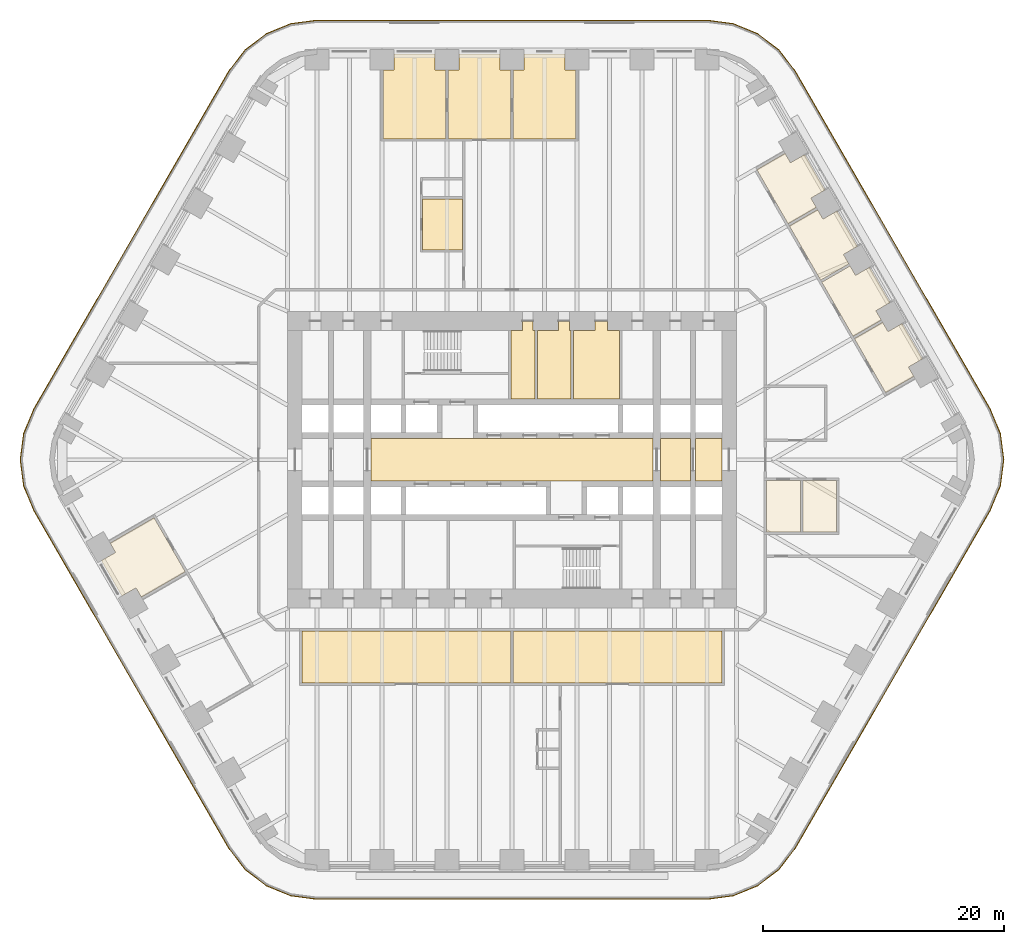
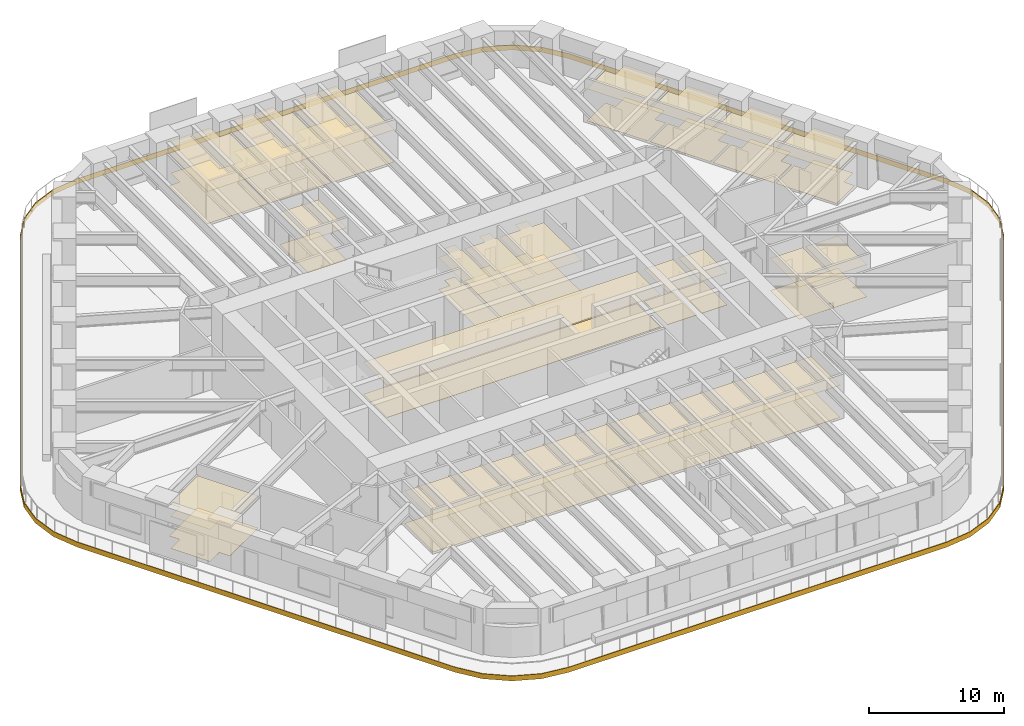
# One storey, part 23 of 24: 15 coverings.
"""IFC4 building model written with IfcOpenShell, lengths in metres."""

from ifc_helpers import new_model, si_unit, direction, frame, origin, place, context, subcontext, project, spatial, polyline, outline, extrude, material, layer, layer_set, type_object, element, save


model = new_model("IFC4")

# Units and contexts
model_context = context("Model", 3, precision=1e-05, world=origin(), true_north=direction((0.0, 1.0)))
body_context = subcontext(model_context, "Body", "Model", "MODEL_VIEW")
ifc_project = project(units=[si_unit("LENGTHUNIT", "METRE"), si_unit("AREAUNIT", "SQUARE_METRE"), si_unit("VOLUMEUNIT", "CUBIC_METRE"), si_unit("PLANEANGLEUNIT", "RADIAN"), si_unit("MASSUNIT", "GRAM", prefix="KILO")], contexts=[model_context])

# Site, building, storey
site_placement = place(None, origin())
site = spatial("IfcSite", under=ifc_project, at=site_placement, CompositionType="ELEMENT")
building_placement = place(site_placement, origin())
building = spatial("IfcBuilding", under=site, at=building_placement, Name="Tarfa Lantern Tower", CompositionType="ELEMENT")
storey_placement = place(building_placement, frame((0.0, 0.0, 69.699951171875)))
storey = spatial("IfcBuildingStorey", under=building, at=storey_placement, Name="L15", CompositionType="ELEMENT", Elevation=69.699951171875)

# Coverings
ifc_material_1 = material(Name="Mineral fibre acoustic tile on suspension grid", Category="finish")
ifc_layer_1 = layer(ifc_material_1, 0.02001953125)
ifc_layer_set_1 = layer_set([ifc_layer_1], Name="CL1 ACOUSTIC TILE CEILING 20")
covering_type_1 = type_object("IfcCoveringType", Name="CL1 ACOUSTIC TILE CEILING 20", PredefinedType="CEILING", material=ifc_layer_set_1)
covering_1_placement = place(storey_placement, frame((0.0, 0.0, 2.900146484375)))
element("IfcCovering", 1, at=covering_1_placement, inside=storey, type_object=covering_type_1, Name="Ceiling L15 CL1", PredefinedType="CEILING", context=body_context, shape_type="SweptSolid", body=[
    extrude(outline(polyline([(0.10009765625, -14.199951171875), (17.39990234375, -14.199951171875), (17.39990234375, -18.5), (0.10009765625, -18.5), (0.10009765625, -14.199951171875)])), origin(), (0.0, 0.0, 1.0), 0.02001953125),
    extrude(outline(polyline([(-17.39990234375, -14.199951171875), (-0.10009765625, -14.199951171875), (-0.10009765625, -18.5), (-17.39990234375, -18.5), (-17.39990234375, -14.199951171875)])), origin(), (0.0, 0.0, 1.0), 0.02001953125),
    extrude(outline(polyline([(5.28857421875, 26.60009765625), (0.10009765625, 26.60009765625), (0.10009765625, 32.300048828125), (1.0, 32.300048828125), (1.0, 33.64990234375), (4.388671875, 33.64990234375), (4.388671875, 32.300048828125), (5.28857421875, 32.300048828125), (5.28857421875, 26.60009765625)])), origin(), (0.0, 0.0, 1.0), 0.02001953125),
    extrude(outline(polyline([(-0.10009765625, 26.60009765625), (-5.28857421875, 26.60009765625), (-5.28857421875, 32.300048828125), (-4.388671875, 32.300048828125), (-4.388671875, 33.64990234375), (-1.0, 33.64990234375), (-1.0, 32.300048828125), (-0.10009765625, 32.300048828125), (-0.10009765625, 26.60009765625)])), origin(), (0.0, 0.0, 1.0), 0.02001953125),
    extrude(outline(polyline([(-5.488525390625, 26.60009765625), (-10.67724609375, 26.60009765625), (-10.67724609375, 32.300048828125), (-9.777099609375, 32.300048828125), (-9.777099609375, 33.64990234375), (-6.388671875, 33.64990234375), (-6.388671875, 32.300048828125), (-5.488525390625, 32.300048828125), (-5.488525390625, 26.60009765625)])), origin(), (0.0, 0.0, 1.0), 0.02001953125),
    extrude(outline(polyline([(28.378662109375, 10.046630859375), (30.717041015625, 11.396728515625), (31.1669921875, 10.6171875), (32.3359375, 11.292236328125), (34.0302734375, 8.357666015625), (32.861328125, 7.6826171875), (33.311279296875, 6.9033203125), (30.972900390625, 5.55322265625), (28.378662109375, 10.046630859375)])), origin(), (0.0, 0.0, 1.0), 0.02001953125),
    extrude(outline(polyline([(25.684326171875, 14.71337890625), (28.022705078125, 16.0634765625), (28.47265625, 15.283935546875), (29.641845703125, 15.958984375), (31.3359375, 13.0244140625), (30.1669921875, 12.349365234375), (30.616943359375, 11.56982421875), (28.278564453125, 10.219970703125), (25.684326171875, 14.71337890625)])), origin(), (0.0, 0.0, 1.0), 0.02001953125),
    extrude(outline(polyline([(22.989990234375, 19.380126953125), (25.328369140625, 20.72998046875), (25.7783203125, 19.95068359375), (26.947509765625, 20.625732421875), (28.641845703125, 17.69091796875), (27.47265625, 17.01611328125), (27.922607421875, 16.236572265625), (25.58447265625, 14.88671875), (22.989990234375, 19.380126953125)])), origin(), (0.0, 0.0, 1.0), 0.02001953125),
    extrude(outline(polyline([(20.295654296875, 24.046630859375), (22.634033203125, 25.396728515625), (23.083984375, 24.6171875), (24.253173828125, 25.292236328125), (25.947509765625, 22.357666015625), (24.7783203125, 21.6826171875), (25.228271484375, 20.9033203125), (22.89013671875, 19.55322265625), (20.295654296875, 24.046630859375)])), origin(), (0.0, 0.0, 1.0), 0.02001953125),
    extrude(outline(polyline([(-27.07958984375, -9.296630859375), (-30.717041015625, -11.396728515625), (-31.1669921875, -10.6171875), (-32.3359375, -11.292236328125), (-34.0302734375, -8.357666015625), (-32.861328125, -7.6826171875), (-33.311279296875, -6.9033203125), (-29.673828125, -4.80322265625), (-27.07958984375, -9.296630859375)])), origin(), (0.0, 0.0, 1.0), 0.02001953125),
    extrude(outline(polyline([(21.10009765625, -1.699951171875), (23.89990234375, -1.699951171875), (23.89990234375, -6.0), (21.10009765625, -6.0), (21.10009765625, -1.699951171875)])), origin(), (0.0, 0.0, 1.0), 0.02001953125),
    extrude(outline(polyline([(24.10009765625, -1.699951171875), (26.89990234375, -1.699951171875), (26.89990234375, -6.0), (24.10009765625, -6.0), (24.10009765625, -1.699951171875)])), origin(), (0.0, 0.0, 1.0), 0.02001953125),
    extrude(outline(polyline([(-7.39990234375, 21.60009765625), (-4.10009765625, 21.60009765625), (-4.10009765625, 17.39990234375), (-7.39990234375, 17.39990234375), (-7.39990234375, 21.60009765625)])), origin(), (0.0, 0.0, 1.0), 0.02001953125),
])
ifc_material_2 = material(Name="Moisture-resistant plasterboard", Category="finish")
ifc_layer_2 = layer(ifc_material_2, 0.014892578125)
ifc_layer_set_2 = layer_set([ifc_layer_2], Name="CL2 MOISTURE-RESISTANT PLASTERBOARD CEILING 15")
covering_type_2 = type_object("IfcCoveringType", Name="CL2 MOISTURE-RESISTANT PLASTERBOARD CEILING 15", PredefinedType="CEILING", material=ifc_layer_set_2)
covering_2_placement = place(storey_placement, frame((0.0, 0.0, 2.900146484375)))
element("IfcCovering", 2, at=covering_2_placement, inside=storey, type_object=covering_type_2, Name="Ceiling L15-09", PredefinedType="CEILING", context=body_context, shape_type="SweptSolid", body=[
    extrude(outline(polyline([(0.85009765625, 10.699951171875), (-0.10009765625, 10.699951171875), (-0.10009765625, 5.050048828125), (1.89990234375, 5.050048828125), (1.89990234375, 10.699951171875), (1.75, 10.699951171875), (1.75, 11.5), (1.75, 11.5), (0.85009765625, 11.5), (0.85009765625, 10.699951171875)])), origin(), (0.0, 0.0, 1.0), 0.014892578125),
])
covering_3_placement = place(storey_placement, frame((0.0, 0.0, 2.900146484375)))
element("IfcCovering", 3, at=covering_3_placement, inside=storey, type_object=covering_type_2, Name="Ceiling L15-10", PredefinedType="CEILING", context=body_context, shape_type="SweptSolid", body=[
    extrude(outline(polyline([(2.10009765625, 5.050048828125), (4.89990234375, 5.050048828125), (4.89990234375, 10.699951171875), (4.75, 10.699951171875), (4.75, 11.5), (3.85009765625, 11.5), (3.85009765625, 10.699951171875), (2.10009765625, 10.699951171875), (2.10009765625, 5.050048828125)])), origin(), (0.0, 0.0, 1.0), 0.014892578125),
])
covering_4_placement = place(storey_placement, frame((0.0, 0.0, 2.900146484375)))
element("IfcCovering", 4, at=covering_4_placement, inside=storey, type_object=covering_type_2, Name="Ceiling L15-11", PredefinedType="CEILING", context=body_context, shape_type="SweptSolid", body=[
    extrude(outline(polyline([(5.10009765625, 5.050048828125), (8.89990234375, 5.050048828125), (8.89990234375, 10.699951171875), (7.89990234375, 10.699951171875), (7.89990234375, 11.5), (6.89990234375, 11.5), (6.89990234375, 10.699951171875), (5.10009765625, 10.699951171875), (5.10009765625, 5.050048828125)])), origin(), (0.0, 0.0, 1.0), 0.014892578125),
])
ifc_material_3 = material(Name="Powder-coated aluminium panel", Category="aluminium")
ifc_layer_3 = layer(ifc_material_3, 0.030029296875)
ifc_layer_set_3 = layer_set([ifc_layer_3], Name="CL3 METAL PANEL CEILING 30")
covering_type_3 = type_object("IfcCoveringType", Name="CL3 METAL PANEL CEILING 30", PredefinedType="CEILING", material=ifc_layer_set_3)
covering_5_placement = place(storey_placement, frame((0.0, 0.0, 2.900146484375)))
element("IfcCovering", 5, at=covering_5_placement, inside=storey, type_object=covering_type_3, Name="Ceiling L15-03", PredefinedType="CEILING", context=body_context, shape_type="SweptSolid", body=[
    extrude(outline(polyline([(-11.699951171875, -1.75), (11.699951171875, -1.75), (11.699951171875, 1.75), (-11.699951171875, 1.75), (-11.699951171875, -1.75)])), origin(), (0.0, 0.0, 1.0), 0.02978515625),
])
covering_6_placement = place(storey_placement, frame((0.0, 0.0, 2.900146484375)))
element("IfcCovering", 6, at=covering_6_placement, inside=storey, type_object=covering_type_3, Name="Ceiling L15-04", PredefinedType="CEILING", context=body_context, shape_type="SweptSolid", body=[
    extrude(outline(polyline([(12.300048828125, -1.75), (14.800048828125, -1.75), (14.800048828125, 1.75), (12.300048828125, 1.75), (12.300048828125, -1.75)])), origin(), (0.0, 0.0, 1.0), 0.02978515625),
])
covering_7_placement = place(storey_placement, frame((0.0, 0.0, 2.900146484375)))
element("IfcCovering", 7, at=covering_7_placement, inside=storey, type_object=covering_type_3, Name="Ceiling L15-05", PredefinedType="CEILING", context=body_context, shape_type="SweptSolid", body=[
    extrude(outline(polyline([(15.199951171875, -1.75), (17.39990234375, -1.75), (17.39990234375, 1.75), (15.199951171875, 1.75), (15.199951171875, -1.75)])), origin(), (0.0, 0.0, 1.0), 0.02978515625),
])
ifc_material_4 = material(Name="Nylon carpet tile", Category="finish")
ifc_layer_4 = layer(ifc_material_4, 0.010009765625)
ifc_layer_set_4 = layer_set([ifc_layer_4], Name="FL1 CARPET TILE 10")
covering_type_4 = type_object("IfcCoveringType", Name="FL1 CARPET TILE 10", PredefinedType="FLOORING", material=ifc_layer_set_4)
covering_8_placement = place(storey_placement, origin())
element("IfcCovering", 8, at=covering_8_placement, inside=storey, type_object=covering_type_4, Name="Floor finish L15 FL1", PredefinedType="FLOORING", context=body_context, shape_type="SweptSolid", body=[
    extrude(outline(polyline([(0.10009765625, -14.199951171875), (17.39990234375, -14.199951171875), (17.39990234375, -18.5), (0.10009765625, -18.5), (0.10009765625, -14.199951171875)])), origin(), (0.0, 0.0, 1.0), 0.010009765625),
    extrude(outline(polyline([(-17.39990234375, -14.199951171875), (-0.10009765625, -14.199951171875), (-0.10009765625, -18.5), (-17.39990234375, -18.5), (-17.39990234375, -14.199951171875)])), origin(), (0.0, 0.0, 1.0), 0.010009765625),
    extrude(outline(polyline([(5.28857421875, 26.60009765625), (0.10009765625, 26.60009765625), (0.10009765625, 32.300048828125), (1.0, 32.300048828125), (1.0, 33.64990234375), (4.388671875, 33.64990234375), (4.388671875, 32.300048828125), (5.28857421875, 32.300048828125), (5.28857421875, 26.60009765625)])), origin(), (0.0, 0.0, 1.0), 0.010009765625),
    extrude(outline(polyline([(-0.10009765625, 26.60009765625), (-5.28857421875, 26.60009765625), (-5.28857421875, 32.300048828125), (-4.388671875, 32.300048828125), (-4.388671875, 33.64990234375), (-1.0, 33.64990234375), (-1.0, 32.300048828125), (-0.10009765625, 32.300048828125), (-0.10009765625, 26.60009765625)])), origin(), (0.0, 0.0, 1.0), 0.010009765625),
    extrude(outline(polyline([(-5.488525390625, 26.60009765625), (-10.67724609375, 26.60009765625), (-10.67724609375, 32.300048828125), (-9.777099609375, 32.300048828125), (-9.777099609375, 33.64990234375), (-6.388671875, 33.64990234375), (-6.388671875, 32.300048828125), (-5.488525390625, 32.300048828125), (-5.488525390625, 26.60009765625)])), origin(), (0.0, 0.0, 1.0), 0.010009765625),
    extrude(outline(polyline([(28.378662109375, 10.046630859375), (30.717041015625, 11.396728515625), (31.1669921875, 10.6171875), (32.3359375, 11.292236328125), (34.0302734375, 8.357666015625), (32.861328125, 7.6826171875), (33.311279296875, 6.9033203125), (30.972900390625, 5.55322265625), (28.378662109375, 10.046630859375)])), origin(), (0.0, 0.0, 1.0), 0.010009765625),
    extrude(outline(polyline([(25.684326171875, 14.71337890625), (28.022705078125, 16.0634765625), (28.47265625, 15.283935546875), (29.641845703125, 15.958984375), (31.3359375, 13.0244140625), (30.1669921875, 12.349365234375), (30.616943359375, 11.56982421875), (28.278564453125, 10.219970703125), (25.684326171875, 14.71337890625)])), origin(), (0.0, 0.0, 1.0), 0.010009765625),
    extrude(outline(polyline([(22.989990234375, 19.380126953125), (25.328369140625, 20.72998046875), (25.7783203125, 19.95068359375), (26.947509765625, 20.625732421875), (28.641845703125, 17.69091796875), (27.47265625, 17.01611328125), (27.922607421875, 16.236572265625), (25.58447265625, 14.88671875), (22.989990234375, 19.380126953125)])), origin(), (0.0, 0.0, 1.0), 0.010009765625),
    extrude(outline(polyline([(20.295654296875, 24.046630859375), (22.634033203125, 25.396728515625), (23.083984375, 24.6171875), (24.253173828125, 25.292236328125), (25.947509765625, 22.357666015625), (24.7783203125, 21.6826171875), (25.228271484375, 20.9033203125), (22.89013671875, 19.55322265625), (20.295654296875, 24.046630859375)])), origin(), (0.0, 0.0, 1.0), 0.010009765625),
    extrude(outline(polyline([(-27.07958984375, -9.296630859375), (-30.717041015625, -11.396728515625), (-31.1669921875, -10.6171875), (-32.3359375, -11.292236328125), (-34.0302734375, -8.357666015625), (-32.861328125, -7.6826171875), (-33.311279296875, -6.9033203125), (-29.673828125, -4.80322265625), (-27.07958984375, -9.296630859375)])), origin(), (0.0, 0.0, 1.0), 0.010009765625),
    extrude(outline(polyline([(21.10009765625, -1.699951171875), (23.89990234375, -1.699951171875), (23.89990234375, -6.0), (21.10009765625, -6.0), (21.10009765625, -1.699951171875)])), origin(), (0.0, 0.0, 1.0), 0.010009765625),
    extrude(outline(polyline([(24.10009765625, -1.699951171875), (26.89990234375, -1.699951171875), (26.89990234375, -6.0), (24.10009765625, -6.0), (24.10009765625, -1.699951171875)])), origin(), (0.0, 0.0, 1.0), 0.010009765625),
    extrude(outline(polyline([(-7.39990234375, 21.60009765625), (-4.10009765625, 21.60009765625), (-4.10009765625, 17.39990234375), (-7.39990234375, 17.39990234375), (-7.39990234375, 21.60009765625)])), origin(), (0.0, 0.0, 1.0), 0.010009765625),
])
ifc_material_5 = material(Name="Honed limestone flooring", Category="masonry")
ifc_layer_5 = layer(ifc_material_5, 0.030029296875)
ifc_layer_set_5 = layer_set([ifc_layer_5], Name="FL2 STONE FLOORING 30")
covering_type_5 = type_object("IfcCoveringType", Name="FL2 STONE FLOORING 30", PredefinedType="FLOORING", material=ifc_layer_set_5)
covering_9_placement = place(storey_placement, origin())
element("IfcCovering", 9, at=covering_9_placement, inside=storey, type_object=covering_type_5, Name="Floor finish L15-03", PredefinedType="FLOORING", context=body_context, shape_type="SweptSolid", body=[
    extrude(outline(polyline([(-11.699951171875, -1.75), (11.699951171875, -1.75), (11.699951171875, 1.75), (-11.699951171875, 1.75), (-11.699951171875, -1.75)])), origin(), (0.0, 0.0, 1.0), 0.030029296875),
])
covering_10_placement = place(storey_placement, origin())
element("IfcCovering", 10, at=covering_10_placement, inside=storey, type_object=covering_type_5, Name="Floor finish L15-04", PredefinedType="FLOORING", context=body_context, shape_type="SweptSolid", body=[
    extrude(outline(polyline([(12.300048828125, -1.75), (14.800048828125, -1.75), (14.800048828125, 1.75), (12.300048828125, 1.75), (12.300048828125, -1.75)])), origin(), (0.0, 0.0, 1.0), 0.030029296875),
])
covering_11_placement = place(storey_placement, origin())
element("IfcCovering", 11, at=covering_11_placement, inside=storey, type_object=covering_type_5, Name="Floor finish L15-05", PredefinedType="FLOORING", context=body_context, shape_type="SweptSolid", body=[
    extrude(outline(polyline([(15.199951171875, -1.75), (17.39990234375, -1.75), (17.39990234375, 1.75), (15.199951171875, 1.75), (15.199951171875, -1.75)])), origin(), (0.0, 0.0, 1.0), 0.030029296875),
])
ifc_material_6 = material(Name="Porcelain floor tile", Category="finish")
ifc_layer_6 = layer(ifc_material_6, 0.011962890625)
ifc_layer_set_6 = layer_set([ifc_layer_6], Name="FL3 CERAMIC TILE 12")
covering_type_6 = type_object("IfcCoveringType", Name="FL3 CERAMIC TILE 12", PredefinedType="FLOORING", material=ifc_layer_set_6)
covering_12_placement = place(storey_placement, origin())
element("IfcCovering", 12, at=covering_12_placement, inside=storey, type_object=covering_type_6, Name="Floor finish L15-09", PredefinedType="FLOORING", context=body_context, shape_type="SweptSolid", body=[
    extrude(outline(polyline([(0.85009765625, 10.699951171875), (-0.10009765625, 10.699951171875), (-0.10009765625, 5.050048828125), (1.89990234375, 5.050048828125), (1.89990234375, 10.699951171875), (1.75, 10.699951171875), (1.75, 11.5), (1.75, 11.5), (0.85009765625, 11.5), (0.85009765625, 10.699951171875)])), origin(), (0.0, 0.0, 1.0), 0.011962890625),
])
covering_13_placement = place(storey_placement, origin())
element("IfcCovering", 13, at=covering_13_placement, inside=storey, type_object=covering_type_6, Name="Floor finish L15-10", PredefinedType="FLOORING", context=body_context, shape_type="SweptSolid", body=[
    extrude(outline(polyline([(2.10009765625, 5.050048828125), (4.89990234375, 5.050048828125), (4.89990234375, 10.699951171875), (4.75, 10.699951171875), (4.75, 11.5), (3.85009765625, 11.5), (3.85009765625, 10.699951171875), (2.10009765625, 10.699951171875), (2.10009765625, 5.050048828125)])), origin(), (0.0, 0.0, 1.0), 0.011962890625),
])
covering_14_placement = place(storey_placement, origin())
element("IfcCovering", 14, at=covering_14_placement, inside=storey, type_object=covering_type_6, Name="Floor finish L15-11", PredefinedType="FLOORING", context=body_context, shape_type="SweptSolid", body=[
    extrude(outline(polyline([(5.10009765625, 5.050048828125), (8.89990234375, 5.050048828125), (8.89990234375, 10.699951171875), (7.89990234375, 10.699951171875), (7.89990234375, 11.5), (6.89990234375, 11.5), (6.89990234375, 10.699951171875), (5.10009765625, 10.699951171875), (5.10009765625, 5.050048828125)])), origin(), (0.0, 0.0, 1.0), 0.011962890625),
])
ifc_material_7 = material(Name="Limestone cladding on brackets", Category="masonry")
ifc_layer_7 = layer(ifc_material_7, 0.050048828125)
ifc_layer_set_7 = layer_set([ifc_layer_7], Name="SB1 STONE BAND CLADDING 50")
covering_type_7 = type_object("IfcCoveringType", Name="SB1 STONE BAND CLADDING 50", PredefinedType="CLADDING", material=ifc_layer_set_7)
covering_15_placement = place(storey_placement, frame((0.0, 0.0, -0.39990234375)))
element("IfcCovering", 15, at=covering_15_placement, inside=storey, type_object=covering_type_7, Name="Stone band", PredefinedType="CLADDING", context=body_context, shape_type="SweptSolid", body=[
    extrude(outline(polyline([(39.6494140625, 4.22509765625), (23.483642578125, 32.22509765625), (22.140869140625, 33.97509765625), (20.390869140625, 35.31787109375), (18.352783203125, 36.162109375), (16.165771484375, 36.449951171875), (-16.165771484375, 36.449951171875), (-18.352783203125, 36.162109375), (-20.390869140625, 35.31787109375), (-22.140869140625, 33.97509765625), (-23.483642578125, 32.22509765625), (-39.6494140625, 4.22509765625), (-40.49365234375, 2.18701171875), (-40.781494140625, 0.0), (-40.49365234375, -2.18701171875), (-39.6494140625, -4.22509765625), (-23.483642578125, -32.22509765625), (-22.140869140625, -33.97509765625), (-20.390869140625, -35.31787109375), (-18.352783203125, -36.162109375), (-16.165771484375, -36.449951171875), (16.165771484375, -36.449951171875), (18.352783203125, -36.162109375), (20.390869140625, -35.31787109375), (22.140869140625, -33.97509765625), (23.483642578125, -32.22509765625), (39.6494140625, -4.22509765625), (40.49365234375, -2.18701171875), (40.781494140625, 0.0), (40.49365234375, 2.18701171875), (39.6494140625, 4.22509765625)]), holes=[polyline([(39.606201171875, 4.199951171875), (23.4404296875, 32.199951171875), (22.10546875, 33.939697265625), (20.36572265625, 35.274658203125), (18.33984375, 36.11376953125), (16.165771484375, 36.39990234375), (-16.165771484375, 36.39990234375), (-18.33984375, 36.11376953125), (-20.36572265625, 35.274658203125), (-22.10546875, 33.939697265625), (-23.4404296875, 32.199951171875), (-39.606201171875, 4.199951171875), (-40.4453125, 2.174072265625), (-40.731689453125, 0.0), (-40.4453125, -2.174072265625), (-39.606201171875, -4.199951171875), (-23.4404296875, -32.199951171875), (-22.10546875, -33.939697265625), (-20.36572265625, -35.274658203125), (-18.33984375, -36.11376953125), (-16.165771484375, -36.39990234375), (16.165771484375, -36.39990234375), (18.33984375, -36.11376953125), (20.36572265625, -35.274658203125), (22.10546875, -33.939697265625), (23.4404296875, -32.199951171875), (39.606201171875, -4.199951171875), (40.4453125, -2.174072265625), (40.731689453125, 0.0), (40.4453125, 2.174072265625), (39.606201171875, 4.199951171875)])]), origin(), (0.0, 0.0, 1.0), 0.449951171875),
])

save(model, "model.ifc")
